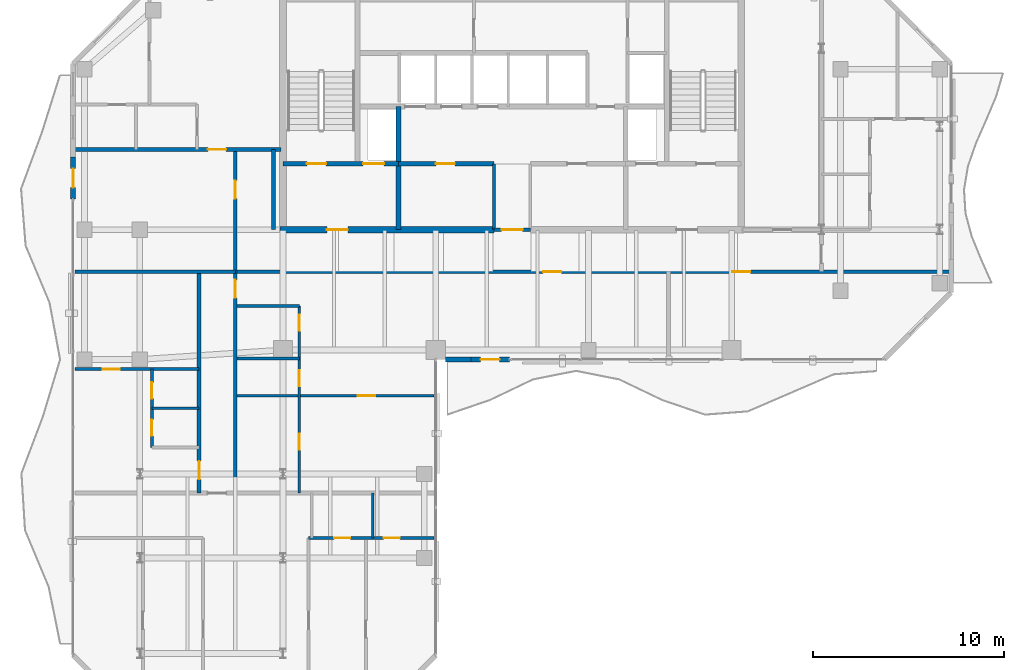
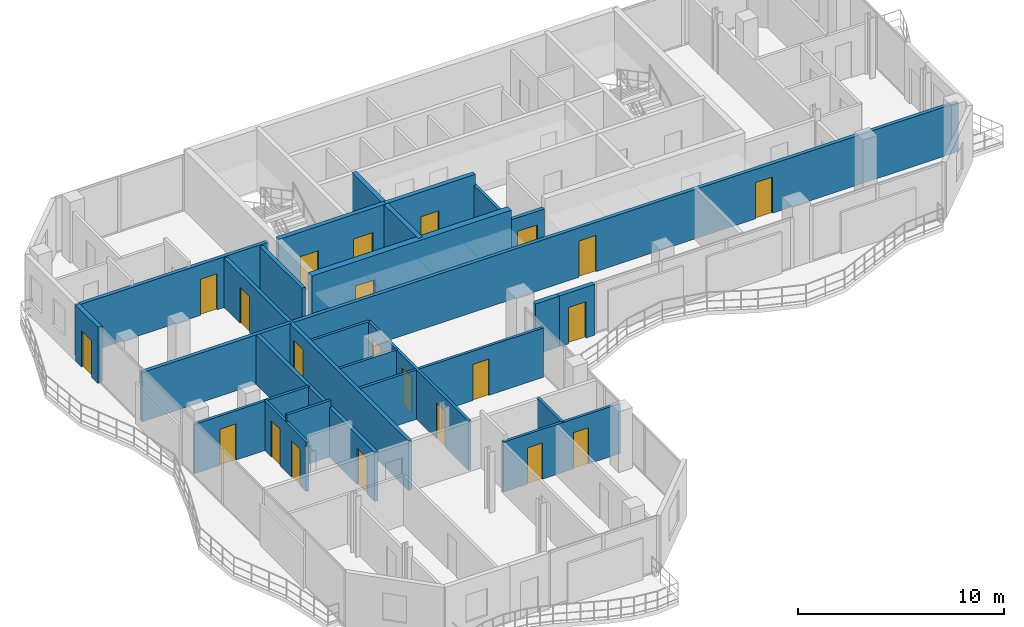
# One storey, part 18 of 23: 24 walls, 22 doors, 22 openings.
"""IFC4 building model written with IfcOpenShell, lengths in metres."""

from ifc_helpers import new_model, si_unit, direction, frame, frame_2d, origin, place, context, subcontext, project, spatial, rectangle, extrude, material, layer, layer_set, type_object, element, fill, save


model = new_model("IFC4")

# Units and contexts
model_context = context("Model", 3, precision=1e-05, world=origin(), true_north=direction((0.0, 1.0)))
body_context = subcontext(model_context, "Body", "Model", "MODEL_VIEW")
ifc_project = project(units=[si_unit("LENGTHUNIT", "METRE"), si_unit("AREAUNIT", "SQUARE_METRE"), si_unit("VOLUMEUNIT", "CUBIC_METRE"), si_unit("PLANEANGLEUNIT", "RADIAN"), si_unit("MASSUNIT", "GRAM", prefix="KILO")], contexts=[model_context])

# Site, building, storey
site_placement = place(None, origin())
site = spatial("IfcSite", under=ifc_project, at=site_placement, CompositionType="ELEMENT")
building_placement = place(site_placement, origin())
building = spatial("IfcBuilding", under=site, at=building_placement, Name="Catumbela Crestline Tower", CompositionType="ELEMENT")
storey_placement = place(building_placement, frame((0.0, 0.0, 165.0)))
storey = spatial("IfcBuildingStorey", under=building, at=storey_placement, Name="L42", CompositionType="ELEMENT", Elevation=165.0)

# Wall
ifc_material_1 = material(Name="Concrete C50/60", Category="concrete")
ifc_layer_1 = layer(ifc_material_1, 0.25, Name="Concrete C50/60")
ifc_layer_set_1 = layer_set([ifc_layer_1], Name="Concrete C50/60")
wall_type_1 = type_object("IfcWallType", Name="CW-250D", PredefinedType="SHEAR", material=ifc_layer_set_1)
wall_1_placement = place(storey_placement, frame((22.05, 30.8, 0.0), z_axis=(0.0, 0.0, 1.0), x_axis=(0.0, 1.0, 0.0)))
element("IfcWall", 1, at=wall_1_placement, inside=storey, type_object=wall_type_1, Name="L42 Structural Core Shear Wall FFW", PredefinedType="SHEAR", context=body_context, shape_type="SweptSolid", body=[
    extrude(rectangle(XDim=6.45, YDim=0.25, at=frame_2d((3.225, 0.0))), origin(), (0.0, 0.0, 1.0), 3.6),
])

# Wall, openings, doors
wall_2_placement = place(storey_placement, frame((16.0, 34.25, 0.0), z_axis=(0.0, 0.0, 1.0), x_axis=(1.0, 0.0, 0.0)))
wall_2 = element("IfcWall", 2, at=wall_2_placement, inside=storey, type_object=wall_type_1, Name="L42 Structural Core Shear Wall ST1S", PredefinedType="SHEAR", context=body_context, shape_type="SweptSolid", body=[
    extrude(rectangle(XDim=6.05, YDim=0.25, at=frame_2d((3.025, 0.0))), origin(), (0.0, 0.0, 1.0), 3.6),
])
opening_1_placement = place(wall_2_placement, frame((1.25, 0.0, 0.0)))
opening_1 = element("IfcOpeningElement", 3, at=opening_1_placement, cuts=wall_2, Name="Opening DF9-100", PredefinedType="OPENING", context=body_context, shape_type="SweptSolid", body=[
    extrude(rectangle(XDim=1.0, YDim=2.15, at=frame_2d((0.5, 1.075))), frame((0.0, 0.135, 0.0), z_axis=(0.0, -1.0, 0.0), x_axis=(1.0, 0.0, 0.0)), (0.0, 0.0, 1.0), 0.27),
])
opening_2_placement = place(wall_2_placement, frame((4.2, 0.0, 0.0)))
opening_2 = element("IfcOpeningElement", 4, at=opening_2_placement, cuts=wall_2, Name="Opening LD-110", PredefinedType="OPENING", context=body_context, shape_type="SweptSolid", body=[
    extrude(rectangle(XDim=1.1, YDim=2.15, at=frame_2d((0.55, 1.075))), frame((0.0, 0.135, 0.0), z_axis=(0.0, -1.0, 0.0), x_axis=(1.0, 0.0, 0.0)), (0.0, 0.0, 1.0), 0.27),
])
ifc_material_2 = material(Name="Stainless steel EN 1.4401", Category="steel")
door_type_1 = type_object("IfcDoorType", Name="DF9-100", OperationType="NOTDEFINED", PredefinedType="DOOR", material=ifc_material_2)
door_1_placement = place(opening_1_placement, origin())
door_1 = element("IfcDoor", 5, at=door_1_placement, inside=storey, type_object=door_type_1, Name="L42 Interior Door DR-L42-ST01", OperationType="SINGLE_SWING_LEFT", OverallHeight=2.15, OverallWidth=1.0, PredefinedType="DOOR", context=body_context, shape_type="SweptSolid", body=[
    extrude(rectangle(XDim=1.0, YDim=2.15, at=frame_2d((0.5, 1.075))), frame((0.0, 0.025, 0.0), z_axis=(0.0, -1.0, 0.0), x_axis=(1.0, 0.0, 0.0)), (0.0, 0.0, 1.0), 0.05),
])
fill(opening_1, door_1)
door_type_2 = type_object("IfcDoorType", Name="LD-110", OperationType="NOTDEFINED", PredefinedType="DOOR", material=ifc_material_2)
door_2_placement = place(opening_2_placement, origin())
door_2 = element("IfcDoor", 6, at=door_2_placement, inside=storey, type_object=door_type_2, Name="L42 Lift Landing Sliding Door FL-01", OperationType="DOUBLE_DOOR_SLIDING", OverallHeight=2.15, OverallWidth=1.1, PredefinedType="DOOR", context=body_context, shape_type="SweptSolid", body=[
    extrude(rectangle(XDim=1.1, YDim=2.15, at=frame_2d((0.55, 1.075))), frame((0.0, 0.025, 0.0), z_axis=(0.0, -1.0, 0.0), x_axis=(1.0, 0.0, 0.0)), (0.0, 0.0, 1.0), 0.05),
])
fill(opening_2, door_2)

# Wall, opening, door
wall_3_placement = place(storey_placement, frame((22.05, 34.25, 0.0), z_axis=(0.0, 0.0, 1.0), x_axis=(1.0, 0.0, 0.0)))
wall_3 = element("IfcWall", 7, at=wall_3_placement, inside=storey, type_object=wall_type_1, Name="L42 Structural Core Shear Wall LIFTS-W", PredefinedType="SHEAR", context=body_context, shape_type="SweptSolid", body=[
    extrude(rectangle(XDim=5.0, YDim=0.25, at=frame_2d((2.5, 0.0))), origin(), (0.0, 0.0, 1.0), 3.6),
])
opening_3_placement = place(wall_3_placement, frame((1.95, 0.0, 0.0)))
opening_3 = element("IfcOpeningElement", 8, at=opening_3_placement, cuts=wall_3, Name="Opening DF9-100", PredefinedType="OPENING", context=body_context, shape_type="SweptSolid", body=[
    extrude(rectangle(XDim=1.0, YDim=2.15, at=frame_2d((0.5, 1.075))), frame((0.0, 0.135, 0.0), z_axis=(0.0, -1.0, 0.0), x_axis=(1.0, 0.0, 0.0)), (0.0, 0.0, 1.0), 0.27),
])
door_3_placement = place(opening_3_placement, origin())
door_3 = element("IfcDoor", 9, at=door_3_placement, inside=storey, type_object=door_type_1, Name="L42 Interior Door DR-L42-RECL1", OperationType="SINGLE_SWING_LEFT", OverallHeight=2.15, OverallWidth=1.0, PredefinedType="DOOR", context=body_context, shape_type="SweptSolid", body=[
    extrude(rectangle(XDim=1.0, YDim=2.15, at=frame_2d((0.5, 1.075))), frame((0.0, 0.025, 0.0), z_axis=(0.0, -1.0, 0.0), x_axis=(1.0, 0.0, 0.0)), (0.0, 0.0, 1.0), 0.05),
])
fill(opening_3, door_3)

ifc_layer_2 = layer(ifc_material_1, 0.35, Name="Concrete C50/60")
ifc_layer_set_2 = layer_set([ifc_layer_2], Name="Concrete C50/60")
wall_type_2 = type_object("IfcWallType", Name="CW-350B", PredefinedType="SHEAR", material=ifc_layer_set_2)
wall_4_placement = place(storey_placement, frame((15.85, 30.8, 0.0), z_axis=(0.0, 0.0, 1.0), x_axis=(1.0, 0.0, 0.0)))
wall_4 = element("IfcWall", 10, at=wall_4_placement, inside=storey, type_object=wall_type_2, Name="L42 Structural Core Shear Wall SW", PredefinedType="SHEAR", context=body_context, shape_type="SweptSolid", body=[
    extrude(rectangle(XDim=11.2, YDim=0.35, at=frame_2d((5.6, 0.0))), origin(), (0.0, 0.0, 1.0), 3.6),
])
opening_4_placement = place(wall_4_placement, frame((2.45, 0.0, 0.0)))
opening_4 = element("IfcOpeningElement", 11, at=opening_4_placement, cuts=wall_4, Name="Opening DF9-110", PredefinedType="OPENING", context=body_context, shape_type="SweptSolid", body=[
    extrude(rectangle(XDim=1.1, YDim=2.15, at=frame_2d((0.55, 1.075))), frame((0.0, 0.185, 0.0), z_axis=(0.0, -1.0, 0.0), x_axis=(1.0, 0.0, 0.0)), (0.0, 0.0, 1.0), 0.37),
])
door_type_3 = type_object("IfcDoorType", Name="DF9-110", OperationType="NOTDEFINED", PredefinedType="DOOR", material=ifc_material_2)
door_4_placement = place(opening_4_placement, origin())
door_4 = element("IfcDoor", 12, at=door_4_placement, inside=storey, type_object=door_type_3, Name="L42 Interior Door DR-L42-FFW-S", OperationType="SINGLE_SWING_LEFT", OverallHeight=2.15, OverallWidth=1.1, PredefinedType="DOOR", context=body_context, shape_type="SweptSolid", body=[
    extrude(rectangle(XDim=1.1, YDim=2.15, at=frame_2d((0.55, 1.075))), frame((0.0, 0.025, 0.0), z_axis=(0.0, -1.0, 0.0), x_axis=(1.0, 0.0, 0.0)), (0.0, 0.0, 1.0), 0.05),
])
fill(opening_4, door_4)

ifc_material_3 = material(Name="Acoustic gypsum and mineral-wool partition")
ifc_layer_3 = layer(ifc_material_3, 0.2, Name="Acoustic gypsum and mineral-wool partition")
ifc_layer_set_3 = layer_set([ifc_layer_3], Name="Acoustic gypsum and mineral-wool partition")
wall_type_3 = type_object("IfcWallType", Name="WC-200", PredefinedType="PARTITIONING", material=ifc_layer_set_3)
wall_5_placement = place(storey_placement, frame((27.05, 30.8, 0.0), z_axis=(0.0, 0.0, 1.0), x_axis=(1.0, 0.0, 0.0)))
wall_5 = element("IfcWall", 13, at=wall_5_placement, inside=storey, type_object=wall_type_3, Name="L42 Interior Partition PW-L42-CLOBS", PredefinedType="PARTITIONING", context=body_context, shape_type="SweptSolid", body=[
    extrude(rectangle(XDim=1.9, YDim=0.2, at=frame_2d((0.95, 0.0))), origin(), (0.0, 0.0, 1.0), 2.96),
])
opening_5_placement = place(wall_5_placement, frame((0.4, 0.0, 0.0)))
opening_5 = element("IfcOpeningElement", 14, at=opening_5_placement, cuts=wall_5, Name="Opening DF9-110", PredefinedType="OPENING", context=body_context, shape_type="SweptSolid", body=[
    extrude(rectangle(XDim=1.1, YDim=2.15, at=frame_2d((0.55, 1.075))), frame((0.0, 0.11, 0.0), z_axis=(0.0, -1.0, 0.0), x_axis=(1.0, 0.0, 0.0)), (0.0, 0.0, 1.0), 0.22),
])
door_5_placement = place(opening_5_placement, origin())
door_5 = element("IfcDoor", 15, at=door_5_placement, inside=storey, type_object=door_type_3, Name="L42 Interior Door DR-L42-CLOBS", OperationType="SINGLE_SWING_LEFT", OverallHeight=2.15, OverallWidth=1.1, PredefinedType="DOOR", context=body_context, shape_type="SweptSolid", body=[
    extrude(rectangle(XDim=1.1, YDim=2.15, at=frame_2d((0.55, 1.075))), frame((0.0, 0.025, 0.0), z_axis=(0.0, -1.0, 0.0), x_axis=(1.0, 0.0, 0.0)), (0.0, 0.0, 1.0), 0.05),
])
fill(opening_5, door_5)

# Wall, openings, doors
wall_6_placement = place(storey_placement, frame((13.6, 28.6, 0.0), z_axis=(0.0, 0.0, 1.0), x_axis=(1.0, 0.0, 0.0)))
wall_6 = element("IfcWall", 16, at=wall_6_placement, inside=storey, type_object=wall_type_3, Name="L42 Interior Partition PW-L42-RCWR", PredefinedType="PARTITIONING", context=body_context, shape_type="SweptSolid", body=[
    extrude(rectangle(XDim=37.3, YDim=0.2, at=frame_2d((18.65, 0.0))), origin(), (0.0, 0.0, 1.0), 2.93),
])
opening_6_placement = place(wall_6_placement, frame((16.025, 0.0, 0.0)))
opening_6 = element("IfcOpeningElement", 17, at=opening_6_placement, cuts=wall_6, Name="Opening DF6-095", PredefinedType="OPENING", context=body_context, shape_type="SweptSolid", body=[
    extrude(rectangle(XDim=0.95, YDim=2.15, at=frame_2d((0.475, 1.075))), frame((0.0, 0.11, 0.0), z_axis=(0.0, -1.0, 0.0), x_axis=(1.0, 0.0, 0.0)), (0.0, 0.0, 1.0), 0.22),
])
opening_7_placement = place(wall_6_placement, frame((25.925, 0.0, 0.0)))
opening_7 = element("IfcOpeningElement", 18, at=opening_7_placement, cuts=wall_6, Name="Opening DF6-095", PredefinedType="OPENING", context=body_context, shape_type="SweptSolid", body=[
    extrude(rectangle(XDim=0.95, YDim=2.15, at=frame_2d((0.475, 1.075))), frame((0.0, 0.11, 0.0), z_axis=(0.0, -1.0, 0.0), x_axis=(1.0, 0.0, 0.0)), (0.0, 0.0, 1.0), 0.22),
])
ifc_material_4 = material(Name="Aluminium alloy AW-6060-T66", Category="aluminium")
door_type_4 = type_object("IfcDoorType", Name="DF6-095", OperationType="NOTDEFINED", PredefinedType="DOOR", material=ifc_material_4)
door_6_placement = place(opening_6_placement, origin())
door_6 = element("IfcDoor", 19, at=door_6_placement, inside=storey, type_object=door_type_4, Name="L42 Interior Door DR-L42-Z3G11-ENT", OperationType="SINGLE_SWING_LEFT", OverallHeight=2.15, OverallWidth=0.95, PredefinedType="DOOR", context=body_context, shape_type="SweptSolid", body=[
    extrude(rectangle(XDim=0.95, YDim=2.15, at=frame_2d((0.475, 1.075))), frame((0.0, 0.025, 0.0), z_axis=(0.0, -1.0, 0.0), x_axis=(1.0, 0.0, 0.0)), (0.0, 0.0, 1.0), 0.05),
])
fill(opening_6, door_6)
door_7_placement = place(opening_7_placement, origin())
door_7 = element("IfcDoor", 20, at=door_7_placement, inside=storey, type_object=door_type_4, Name="L42 Interior Door DR-L42-Z3G12-ENT", OperationType="SINGLE_SWING_RIGHT", OverallHeight=2.15, OverallWidth=0.95, PredefinedType="DOOR", context=body_context, shape_type="SweptSolid", body=[
    extrude(rectangle(XDim=0.95, YDim=2.15, at=frame_2d((0.475, 1.075))), frame((0.0, 0.025, 0.0), z_axis=(0.0, -1.0, 0.0), x_axis=(1.0, 0.0, 0.0)), (0.0, 0.0, 1.0), 0.05),
])
fill(opening_7, door_7)

# Wall
wall_7_placement = place(storey_placement, frame((15.5, 30.8, 0.0), z_axis=(0.0, 0.0, 1.0), x_axis=(0.0, 1.0, 0.0)))
element("IfcWall", 21, at=wall_7_placement, inside=storey, type_object=wall_type_3, Name="L42 Interior Partition PW-L42-NWFYE", PredefinedType="PARTITIONING", context=body_context, shape_type="SweptSolid", body=[
    extrude(rectangle(XDim=4.2, YDim=0.2, at=frame_2d((2.1, 0.0))), origin(), (0.0, 0.0, 1.0), 2.93),
])

# Wall, openings, doors
wall_8_placement = place(storey_placement, frame((13.5, 17.0, 0.0), z_axis=(0.0, 0.0, 1.0), x_axis=(0.0, 1.0, 0.0)))
wall_8 = element("IfcWall", 22, at=wall_8_placement, inside=storey, type_object=wall_type_3, Name="L42 Interior Partition PW-L42-NWAM-ENT", PredefinedType="PARTITIONING", context=body_context, shape_type="SweptSolid", body=[
    extrude(rectangle(XDim=18.0, YDim=0.2, at=frame_2d((9.0, 0.0))), origin(), (0.0, 0.0, 1.0), 2.93),
])
opening_8_placement = place(wall_8_placement, frame((15.425, 0.0, 0.0)))
opening_8 = element("IfcOpeningElement", 23, at=opening_8_placement, cuts=wall_8, Name="Opening DF6-095", PredefinedType="OPENING", context=body_context, shape_type="SweptSolid", body=[
    extrude(rectangle(XDim=0.95, YDim=2.15, at=frame_2d((0.475, 1.075))), frame((0.0, 0.11, 0.0), z_axis=(0.0, -1.0, 0.0), x_axis=(1.0, 0.0, 0.0)), (0.0, 0.0, 1.0), 0.22),
])
opening_9_placement = place(wall_8_placement, frame((10.225, 0.0, 0.0)))
opening_9 = element("IfcOpeningElement", 24, at=opening_9_placement, cuts=wall_8, Name="Opening DF6-095", PredefinedType="OPENING", context=body_context, shape_type="SweptSolid", body=[
    extrude(rectangle(XDim=0.95, YDim=2.15, at=frame_2d((0.475, 1.075))), frame((0.0, 0.11, 0.0), z_axis=(0.0, -1.0, 0.0), x_axis=(1.0, 0.0, 0.0)), (0.0, 0.0, 1.0), 0.22),
])
door_8_placement = place(opening_8_placement, origin())
door_8 = element("IfcDoor", 25, at=door_8_placement, inside=storey, type_object=door_type_4, Name="L42 Interior Door DR-L42-NWAM-ENT", OperationType="SINGLE_SWING_RIGHT", OverallHeight=2.15, OverallWidth=0.95, PredefinedType="DOOR", context=body_context, shape_type="SweptSolid", body=[
    extrude(rectangle(XDim=0.95, YDim=2.15, at=frame_2d((0.475, 1.075))), frame((0.0, 0.025, 0.0), z_axis=(0.0, -1.0, 0.0), x_axis=(1.0, 0.0, 0.0)), (0.0, 0.0, 1.0), 0.05),
])
fill(opening_8, door_8)
door_9_placement = place(opening_9_placement, origin())
door_9 = element("IfcDoor", 26, at=door_9_placement, inside=storey, type_object=door_type_4, Name="L42 Interior Door DR-L42-WR1-ENT", OperationType="SINGLE_SWING_LEFT", OverallHeight=2.15, OverallWidth=0.95, PredefinedType="DOOR", context=body_context, shape_type="SweptSolid", body=[
    extrude(rectangle(XDim=0.95, YDim=2.15, at=frame_2d((0.475, 1.075))), frame((0.0, 0.025, 0.0), z_axis=(0.0, -1.0, 0.0), x_axis=(1.0, 0.0, 0.0)), (0.0, 0.0, 1.0), 0.05),
])
fill(opening_9, door_9)

# Wall, opening, door
wall_9_placement = place(storey_placement, frame((5.1, 35.0, 0.0), z_axis=(0.0, 0.0, 1.0), x_axis=(1.0, 0.0, 0.0)))
wall_9 = element("IfcWall", 27, at=wall_9_placement, inside=storey, type_object=wall_type_3, Name="L42 Interior Partition PW-L42-NW1-ENT", PredefinedType="PARTITIONING", context=body_context, shape_type="SweptSolid", body=[
    extrude(rectangle(XDim=10.8, YDim=0.2, at=frame_2d((5.4, 0.0))), origin(), (0.0, 0.0, 1.0), 3.01),
])
opening_10_placement = place(wall_9_placement, frame((6.9644, 0.0, 0.0)))
opening_10 = element("IfcOpeningElement", 28, at=opening_10_placement, cuts=wall_9, Name="Opening DF6-095", PredefinedType="OPENING", context=body_context, shape_type="SweptSolid", body=[
    extrude(rectangle(XDim=0.95, YDim=2.15, at=frame_2d((0.475, 1.075))), frame((0.0, 0.11, 0.0), z_axis=(0.0, -1.0, 0.0), x_axis=(1.0, 0.0, 0.0)), (0.0, 0.0, 1.0), 0.22),
])
door_10_placement = place(opening_10_placement, origin())
door_10 = element("IfcDoor", 29, at=door_10_placement, inside=storey, type_object=door_type_4, Name="L42 Interior Door DR-L42-NW1-ENT", OperationType="SINGLE_SWING_LEFT", OverallHeight=2.15, OverallWidth=0.95, PredefinedType="DOOR", context=body_context, shape_type="SweptSolid", body=[
    extrude(rectangle(XDim=0.95, YDim=2.15, at=frame_2d((0.475, 1.075))), frame((0.0, 0.025, 0.0), z_axis=(0.0, -1.0, 0.0), x_axis=(1.0, 0.0, 0.0)), (0.0, 0.0, 1.0), 0.05),
])
fill(opening_10, door_10)

wall_10_placement = place(storey_placement, frame((11.6, 17.0, 0.0), z_axis=(0.0, 0.0, 1.0), x_axis=(0.0, 1.0, 0.0)))
wall_10 = element("IfcWall", 30, at=wall_10_placement, inside=storey, type_object=wall_type_3, Name="L42 Interior Partition PW-L42-WL1-ENT", PredefinedType="PARTITIONING", context=body_context, shape_type="SweptSolid", body=[
    extrude(rectangle(XDim=11.6, YDim=0.2, at=frame_2d((5.8, 0.0))), origin(), (0.0, 0.0, 1.0), 2.93),
])
opening_11_placement = place(wall_10_placement, frame((0.723, 0.0, 0.0)))
opening_11 = element("IfcOpeningElement", 31, at=opening_11_placement, cuts=wall_10, Name="Opening DF6-095", PredefinedType="OPENING", context=body_context, shape_type="SweptSolid", body=[
    extrude(rectangle(XDim=0.95, YDim=2.15, at=frame_2d((0.475, 1.075))), frame((0.0, 0.11, 0.0), z_axis=(0.0, -1.0, 0.0), x_axis=(1.0, 0.0, 0.0)), (0.0, 0.0, 1.0), 0.22),
])
door_11_placement = place(opening_11_placement, origin())
door_11 = element("IfcDoor", 32, at=door_11_placement, inside=storey, type_object=door_type_4, Name="L42 Interior Door DR-L42-WL1-ENT", OperationType="SINGLE_SWING_LEFT", OverallHeight=2.15, OverallWidth=0.95, PredefinedType="DOOR", context=body_context, shape_type="SweptSolid", body=[
    extrude(rectangle(XDim=0.95, YDim=2.15, at=frame_2d((0.475, 1.075))), frame((0.0, 0.025, 0.0), z_axis=(0.0, -1.0, 0.0), x_axis=(1.0, 0.0, 0.0)), (0.0, 0.0, 1.0), 0.05),
])
fill(opening_11, door_11)

ifc_material_5 = material(Name="Angolan grey-ochre granite", Category="masonry")
ifc_layer_4 = layer(ifc_material_5, 0.25, Name="Angolan grey-ochre granite")
ifc_layer_set_4 = layer_set([ifc_layer_4], Name="Angolan grey-ochre granite")
wall_type_4 = type_object("IfcWallType", Name="WE-250", PredefinedType="STANDARD", material=ifc_layer_set_4)
wall_11_placement = place(storey_placement, frame((25.85, 24.0, 0.0), z_axis=(0.0, 0.0, 1.0), x_axis=(1.0, 0.0, 0.0)))
wall_11 = element("IfcWall", 33, at=wall_11_placement, inside=storey, type_object=wall_type_4, Name="L42 Exterior Threshold Portal Wall DR-L42-WBAL-1", PredefinedType="STANDARD", context=body_context, shape_type="SweptSolid", body=[
    extrude(rectangle(XDim=2.0, YDim=0.25, at=frame_2d((1.0, 0.0))), origin(), (0.0, 0.0, 1.0), 3.01),
])
opening_12_placement = place(wall_11_placement, frame((0.5, 0.0, 0.0)))
opening_12 = element("IfcOpeningElement", 34, at=opening_12_placement, cuts=wall_11, Name="Opening DB-L42-1", PredefinedType="OPENING", context=body_context, shape_type="SweptSolid", body=[
    extrude(rectangle(XDim=1.0, YDim=2.15, at=frame_2d((0.5, 1.075))), frame((0.0, 0.135, 0.0), z_axis=(0.0, -1.0, 0.0), x_axis=(1.0, 0.0, 0.0)), (0.0, 0.0, 1.0), 0.27),
])
door_type_5 = type_object("IfcDoorType", Name="DB-1000", OperationType="NOTDEFINED", PredefinedType="DOOR", material=ifc_material_4)
door_12_placement = place(opening_12_placement, origin())
door_12 = element("IfcDoor", 35, at=door_12_placement, inside=storey, type_object=door_type_5, Name="L42 Wave Balcony Terrace Door 1", OperationType="SINGLE_SWING_RIGHT", OverallHeight=2.15, OverallWidth=1.0, PredefinedType="DOOR", context=body_context, shape_type="SweptSolid", body=[
    extrude(rectangle(XDim=1.0, YDim=2.15, at=frame_2d((0.5, 1.075))), frame((0.0, 0.025, 0.0), z_axis=(0.0, -1.0, 0.0), x_axis=(1.0, 0.0, 0.0)), (0.0, 0.0, 1.0), 0.05),
])
fill(opening_12, door_12)

# Wall
wall_12_placement = place(storey_placement, frame((24.5, 24.0, 0.0), z_axis=(0.0, 0.0, 1.0), x_axis=(1.0, 0.0, 0.0)))
element("IfcWall", 36, at=wall_12_placement, inside=storey, type_object=wall_type_4, Name="L42 Granite Punched Window Wall 3-1", PredefinedType="STANDARD", context=body_context, shape_type="SweptSolid", body=[
    extrude(rectangle(XDim=1.35, YDim=0.25, at=frame_2d((0.675, 0.0))), origin(), (0.0, 0.0, 1.0), 3.01),
])

# Wall, opening, door
wall_13_placement = place(storey_placement, frame((5.0, 34.6, 0.0), z_axis=(0.0, 0.0, 1.0), x_axis=(0.0, -1.0, 0.0)))
wall_13 = element("IfcWall", 37, at=wall_13_placement, inside=storey, type_object=wall_type_4, Name="L42 Exterior Threshold Portal Wall DR-L42-WBAL-4", PredefinedType="STANDARD", context=body_context, shape_type="SweptSolid", body=[
    extrude(rectangle(XDim=2.2, YDim=0.25, at=frame_2d((1.1, 0.0))), origin(), (0.0, 0.0, 1.0), 3.33),
])
opening_13_placement = place(wall_13_placement, frame((0.6, 0.0, 0.0)))
opening_13 = element("IfcOpeningElement", 38, at=opening_13_placement, cuts=wall_13, Name="Opening DB-L42-4", PredefinedType="OPENING", context=body_context, shape_type="SweptSolid", body=[
    extrude(rectangle(XDim=1.0, YDim=2.15, at=frame_2d((0.5, 1.075))), frame((0.0, 0.135, 0.0), z_axis=(0.0, -1.0, 0.0), x_axis=(1.0, 0.0, 0.0)), (0.0, 0.0, 1.0), 0.27),
])
door_13_placement = place(opening_13_placement, origin())
door_13 = element("IfcDoor", 39, at=door_13_placement, inside=storey, type_object=door_type_5, Name="L42 Wave Balcony Terrace Door 4", OperationType="SINGLE_SWING_LEFT", OverallHeight=2.15, OverallWidth=1.0, PredefinedType="DOOR", context=body_context, shape_type="SweptSolid", body=[
    extrude(rectangle(XDim=1.0, YDim=2.15, at=frame_2d((0.5, 1.075))), frame((0.0, 0.025, 0.0), z_axis=(0.0, -1.0, 0.0), x_axis=(1.0, 0.0, 0.0)), (0.0, 0.0, 1.0), 0.05),
])
fill(opening_13, door_13)

# Wall
ifc_layer_5 = layer(ifc_material_3, 0.15, Name="Acoustic gypsum and mineral-wool partition")
ifc_layer_set_5 = layer_set([ifc_layer_5], Name="Acoustic gypsum and mineral-wool partition")
wall_type_5 = type_object("IfcWallType", Name="WP-150", PredefinedType="PARTITIONING", material=ifc_layer_set_5)
wall_14_placement = place(storey_placement, frame((9.13, 21.446, 0.0), z_axis=(0.0, 0.0, 1.0), x_axis=(1.0, 0.0, 0.0)))
element("IfcWall", 40, at=wall_14_placement, inside=storey, type_object=wall_type_5, Name="L42 Interior Partition PW-L42-WL1-KBM", PredefinedType="PARTITIONING", context=body_context, shape_type="SweptSolid", body=[
    extrude(rectangle(XDim=2.47, YDim=0.15, at=frame_2d((1.235, 0.0))), origin(), (0.0, 0.0, 1.0), 3.33),
])

# Wall, opening, door
wall_15_placement = place(storey_placement, frame((5.1, 23.496, 0.0), z_axis=(0.0, 0.0, 1.0), x_axis=(1.0, 0.0, 0.0)))
wall_15 = element("IfcWall", 41, at=wall_15_placement, inside=storey, type_object=wall_type_5, Name="L42 Interior Partition PW-L42-WL1-KBN", PredefinedType="PARTITIONING", context=body_context, shape_type="SweptSolid", body=[
    extrude(rectangle(XDim=6.5, YDim=0.15, at=frame_2d((3.25, 0.0))), origin(), (0.0, 0.0, 1.0), 2.93),
])
opening_14_placement = place(wall_15_placement, frame((1.4533, 0.0, 0.0)))
opening_14 = element("IfcOpeningElement", 42, at=opening_14_placement, cuts=wall_15, Name="Opening DI-090", PredefinedType="OPENING", context=body_context, shape_type="SweptSolid", body=[
    extrude(rectangle(XDim=0.9, YDim=2.15, at=frame_2d((0.45, 1.075))), frame((0.0, 0.085, 0.0), z_axis=(0.0, -1.0, 0.0), x_axis=(1.0, 0.0, 0.0)), (0.0, 0.0, 1.0), 0.17),
])
door_type_6 = type_object("IfcDoorType", Name="DI-090", OperationType="NOTDEFINED", PredefinedType="DOOR", material=ifc_material_4)
door_14_placement = place(opening_14_placement, origin())
door_14 = element("IfcDoor", 43, at=door_14_placement, inside=storey, type_object=door_type_6, Name="L42 Interior Door DR-L42-WL1-BD1", OperationType="SINGLE_SWING_RIGHT", OverallHeight=2.15, OverallWidth=0.9, PredefinedType="DOOR", context=body_context, shape_type="SweptSolid", body=[
    extrude(rectangle(XDim=0.9, YDim=2.15, at=frame_2d((0.45, 1.075))), frame((0.0, 0.025, 0.0), z_axis=(0.0, -1.0, 0.0), x_axis=(1.0, 0.0, 0.0)), (0.0, 0.0, 1.0), 0.05),
])
fill(opening_14, door_14)

# Wall, openings, doors
wall_16_placement = place(storey_placement, frame((9.13, 19.396, 0.0), z_axis=(0.0, 0.0, 1.0), x_axis=(0.0, 1.0, 0.0)))
wall_16 = element("IfcWall", 44, at=wall_16_placement, inside=storey, type_object=wall_type_5, Name="L42 Interior Partition PW-L42-WL1-LK", PredefinedType="PARTITIONING", context=body_context, shape_type="SweptSolid", body=[
    extrude(rectangle(XDim=4.1, YDim=0.15, at=frame_2d((2.05, 0.0))), origin(), (0.0, 0.0, 1.0), 2.93),
])
opening_15_placement = place(wall_16_placement, frame((0.6, 0.0, 0.0)))
opening_15 = element("IfcOpeningElement", 45, at=opening_15_placement, cuts=wall_16, Name="Opening DI-085", PredefinedType="OPENING", context=body_context, shape_type="SweptSolid", body=[
    extrude(rectangle(XDim=0.85, YDim=2.15, at=frame_2d((0.425, 1.075))), frame((0.0, 0.085, 0.0), z_axis=(0.0, -1.0, 0.0), x_axis=(1.0, 0.0, 0.0)), (0.0, 0.0, 1.0), 0.17),
])
opening_16_placement = place(wall_16_placement, frame((2.5529, 0.0, 0.0)))
opening_16 = element("IfcOpeningElement", 46, at=opening_16_placement, cuts=wall_16, Name="Opening DI-085", PredefinedType="OPENING", context=body_context, shape_type="SweptSolid", body=[
    extrude(rectangle(XDim=0.85, YDim=2.15, at=frame_2d((0.425, 1.075))), frame((0.0, 0.085, 0.0), z_axis=(0.0, -1.0, 0.0), x_axis=(1.0, 0.0, 0.0)), (0.0, 0.0, 1.0), 0.17),
])
door_type_7 = type_object("IfcDoorType", Name="DI-085", OperationType="NOTDEFINED", PredefinedType="DOOR", material=ifc_material_4)
door_15_placement = place(opening_15_placement, origin())
door_15 = element("IfcDoor", 47, at=door_15_placement, inside=storey, type_object=door_type_7, Name="L42 Interior Door DR-L42-WL1-KIT", OperationType="SINGLE_SWING_LEFT", OverallHeight=2.15, OverallWidth=0.85, PredefinedType="DOOR", context=body_context, shape_type="SweptSolid", body=[
    extrude(rectangle(XDim=0.85, YDim=2.15, at=frame_2d((0.425, 1.075))), frame((0.0, 0.025, 0.0), z_axis=(0.0, -1.0, 0.0), x_axis=(1.0, 0.0, 0.0)), (0.0, 0.0, 1.0), 0.05),
])
fill(opening_15, door_15)
door_16_placement = place(opening_16_placement, origin())
door_16 = element("IfcDoor", 48, at=door_16_placement, inside=storey, type_object=door_type_7, Name="L42 Interior Door DR-L42-WL1-BTH", OperationType="SINGLE_SWING_LEFT", OverallHeight=2.15, OverallWidth=0.85, PredefinedType="DOOR", context=body_context, shape_type="SweptSolid", body=[
    extrude(rectangle(XDim=0.85, YDim=2.15, at=frame_2d((0.425, 1.075))), frame((0.0, 0.025, 0.0), z_axis=(0.0, -1.0, 0.0), x_axis=(1.0, 0.0, 0.0)), (0.0, 0.0, 1.0), 0.05),
])
fill(opening_16, door_16)

# Wall, opening, door
wall_17_placement = place(storey_placement, frame((13.6, 22.104, 0.0), z_axis=(0.0, 0.0, 1.0), x_axis=(1.0, 0.0, 0.0)))
wall_17 = element("IfcWall", 49, at=wall_17_placement, inside=storey, type_object=wall_type_5, Name="L42 Interior Partition PW-L42-WR1-KBS", PredefinedType="PARTITIONING", context=body_context, shape_type="SweptSolid", body=[
    extrude(rectangle(XDim=10.3, YDim=0.15, at=frame_2d((5.15, 0.0))), origin(), (0.0, 0.0, 1.0), 2.93),
])
opening_17_placement = place(wall_17_placement, frame((6.325, 0.0, 0.0)))
opening_17 = element("IfcOpeningElement", 50, at=opening_17_placement, cuts=wall_17, Name="Opening DI-090", PredefinedType="OPENING", context=body_context, shape_type="SweptSolid", body=[
    extrude(rectangle(XDim=0.9, YDim=2.15, at=frame_2d((0.45, 1.075))), frame((0.0, 0.085, 0.0), z_axis=(0.0, -1.0, 0.0), x_axis=(1.0, 0.0, 0.0)), (0.0, 0.0, 1.0), 0.17),
])
door_17_placement = place(opening_17_placement, origin())
door_17 = element("IfcDoor", 51, at=door_17_placement, inside=storey, type_object=door_type_6, Name="L42 Interior Door DR-L42-WR1-BD1", OperationType="SINGLE_SWING_LEFT", OverallHeight=2.15, OverallWidth=0.9, PredefinedType="DOOR", context=body_context, shape_type="SweptSolid", body=[
    extrude(rectangle(XDim=0.9, YDim=2.15, at=frame_2d((0.45, 1.075))), frame((0.0, 0.025, 0.0), z_axis=(0.0, -1.0, 0.0), x_axis=(1.0, 0.0, 0.0)), (0.0, 0.0, 1.0), 0.05),
])
fill(opening_17, door_17)

# Walls
for number, where, z_axis, x_axis, name in (
    (52, (13.6, 24.054, 0.0), (0.0, 0.0, 1.0), (1.0, 0.0, 0.0), "L42 Interior Partition PW-L42-WR1-KBM"),
    (53, (13.6, 26.8, 0.0), (0.0, 0.0, 1.0), (1.0, 0.0, 0.0), "L42 Interior Partition PW-L42-WR1-KBN"),
):
    element("IfcWall", number, at=place(storey_placement, frame(where, z_axis=z_axis, x_axis=x_axis)), inside=storey, type_object=wall_type_5, Name=name, PredefinedType="PARTITIONING", context=body_context, shape_type="SweptSolid", body=[
        extrude(rectangle(XDim=3.25, YDim=0.15, at=frame_2d((1.625, 0.0))), origin(), (0.0, 0.0, 1.0), 2.93),
    ])

# Wall, openings, doors
wall_18_placement = place(storey_placement, frame((16.85, 17.0, 0.0), z_axis=(0.0, 0.0, 1.0), x_axis=(0.0, 1.0, 0.0)))
wall_18 = element("IfcWall", 54, at=wall_18_placement, inside=storey, type_object=wall_type_5, Name="L42 Interior Partition PW-L42-WR1-LB", PredefinedType="PARTITIONING", context=body_context, shape_type="SweptSolid", body=[
    extrude(rectangle(XDim=9.8, YDim=0.15, at=frame_2d((4.9, 0.0))), origin(), (0.0, 0.0, 1.0), 2.93),
])
opening_18_placement = place(wall_18_placement, frame((5.5983, 0.0, 0.0)))
opening_18 = element("IfcOpeningElement", 55, at=opening_18_placement, cuts=wall_18, Name="Opening DI-085", PredefinedType="OPENING", context=body_context, shape_type="SweptSolid", body=[
    extrude(rectangle(XDim=0.85, YDim=2.15, at=frame_2d((0.425, 1.075))), frame((0.0, 0.085, 0.0), z_axis=(0.0, -1.0, 0.0), x_axis=(1.0, 0.0, 0.0)), (0.0, 0.0, 1.0), 0.17),
])
opening_19_placement = place(wall_18_placement, frame((8.4963, 0.0, 0.0)))
opening_19 = element("IfcOpeningElement", 56, at=opening_19_placement, cuts=wall_18, Name="Opening DI-085", PredefinedType="OPENING", context=body_context, shape_type="SweptSolid", body=[
    extrude(rectangle(XDim=0.85, YDim=2.15, at=frame_2d((0.425, 1.075))), frame((0.0, 0.085, 0.0), z_axis=(0.0, -1.0, 0.0), x_axis=(1.0, 0.0, 0.0)), (0.0, 0.0, 1.0), 0.17),
])
opening_20_placement = place(wall_18_placement, frame((2.2684, 0.0, 0.0)))
opening_20 = element("IfcOpeningElement", 57, at=opening_20_placement, cuts=wall_18, Name="Opening DI-085", PredefinedType="OPENING", context=body_context, shape_type="SweptSolid", body=[
    extrude(rectangle(XDim=0.85, YDim=2.15, at=frame_2d((0.425, 1.075))), frame((0.0, 0.085, 0.0), z_axis=(0.0, -1.0, 0.0), x_axis=(1.0, 0.0, 0.0)), (0.0, 0.0, 1.0), 0.17),
])
door_18_placement = place(opening_18_placement, origin())
door_18 = element("IfcDoor", 58, at=door_18_placement, inside=storey, type_object=door_type_7, Name="L42 Interior Door DR-L42-WR1-BTH", OperationType="SINGLE_SWING_LEFT", OverallHeight=2.15, OverallWidth=0.85, PredefinedType="DOOR", context=body_context, shape_type="SweptSolid", body=[
    extrude(rectangle(XDim=0.85, YDim=2.15, at=frame_2d((0.425, 1.075))), frame((0.0, 0.025, 0.0), z_axis=(0.0, -1.0, 0.0), x_axis=(1.0, 0.0, 0.0)), (0.0, 0.0, 1.0), 0.05),
])
fill(opening_18, door_18)
door_19_placement = place(opening_19_placement, origin())
door_19 = element("IfcDoor", 59, at=door_19_placement, inside=storey, type_object=door_type_7, Name="L42 Interior Door DR-L42-WR1-KIT", OperationType="SINGLE_SWING_RIGHT", OverallHeight=2.15, OverallWidth=0.85, PredefinedType="DOOR", context=body_context, shape_type="SweptSolid", body=[
    extrude(rectangle(XDim=0.85, YDim=2.15, at=frame_2d((0.425, 1.075))), frame((0.0, 0.025, 0.0), z_axis=(0.0, -1.0, 0.0), x_axis=(1.0, 0.0, 0.0)), (0.0, 0.0, 1.0), 0.05),
])
fill(opening_19, door_19)
door_20_placement = place(opening_20_placement, origin())
door_20 = element("IfcDoor", 60, at=door_20_placement, inside=storey, type_object=door_type_7, Name="L42 Interior Door DR-L42-WR1-WIR", OperationType="SINGLE_SWING_LEFT", OverallHeight=2.15, OverallWidth=0.85, PredefinedType="DOOR", context=body_context, shape_type="SweptSolid", body=[
    extrude(rectangle(XDim=0.85, YDim=2.15, at=frame_2d((0.425, 1.075))), frame((0.0, 0.025, 0.0), z_axis=(0.0, -1.0, 0.0), x_axis=(1.0, 0.0, 0.0)), (0.0, 0.0, 1.0), 0.05),
])
fill(opening_20, door_20)

# Wall
wall_19_placement = place(storey_placement, frame((20.7, 14.65, 0.0), z_axis=(0.0, 0.0, 1.0), x_axis=(0.0, 1.0, 0.0)))
element("IfcWall", 61, at=wall_19_placement, inside=storey, type_object=wall_type_5, Name="L42 Interior Partition PW-L42-SH1-KBM", PredefinedType="PARTITIONING", context=body_context, shape_type="SweptSolid", body=[
    extrude(rectangle(XDim=2.35, YDim=0.15, at=frame_2d((1.175, 0.0))), origin(), (0.0, 0.0, 1.0), 2.96),
])

# Wall, openings, doors
wall_20_placement = place(storey_placement, frame((17.34, 14.65, 0.0), z_axis=(0.0, 0.0, 1.0), x_axis=(1.0, 0.0, 0.0)))
wall_20 = element("IfcWall", 62, at=wall_20_placement, inside=storey, type_object=wall_type_5, Name="L42 Interior Partition PW-L42-SH1-KBD1", PredefinedType="PARTITIONING", context=body_context, shape_type="SweptSolid", body=[
    extrude(rectangle(XDim=6.56, YDim=0.15, at=frame_2d((3.28, 0.0))), origin(), (0.0, 0.0, 1.0), 2.96),
])
opening_21_placement = place(wall_20_placement, frame((1.335, 0.0, 0.0)))
opening_21 = element("IfcOpeningElement", 63, at=opening_21_placement, cuts=wall_20, Name="Opening DI-085", PredefinedType="OPENING", context=body_context, shape_type="SweptSolid", body=[
    extrude(rectangle(XDim=0.85, YDim=2.15, at=frame_2d((0.425, 1.075))), frame((0.0, 0.085, 0.0), z_axis=(0.0, -1.0, 0.0), x_axis=(1.0, 0.0, 0.0)), (0.0, 0.0, 1.0), 0.17),
])
opening_22_placement = place(wall_20_placement, frame((3.9305, 0.0, 0.0)))
opening_22 = element("IfcOpeningElement", 64, at=opening_22_placement, cuts=wall_20, Name="Opening DI-085", PredefinedType="OPENING", context=body_context, shape_type="SweptSolid", body=[
    extrude(rectangle(XDim=0.85, YDim=2.15, at=frame_2d((0.425, 1.075))), frame((0.0, 0.085, 0.0), z_axis=(0.0, -1.0, 0.0), x_axis=(1.0, 0.0, 0.0)), (0.0, 0.0, 1.0), 0.17),
])
door_21_placement = place(opening_21_placement, origin())
door_21 = element("IfcDoor", 65, at=door_21_placement, inside=storey, type_object=door_type_7, Name="L42 Interior Door DR-L42-SH1-BTH", OperationType="SINGLE_SWING_LEFT", OverallHeight=2.15, OverallWidth=0.85, PredefinedType="DOOR", context=body_context, shape_type="SweptSolid", body=[
    extrude(rectangle(XDim=0.85, YDim=2.15, at=frame_2d((0.425, 1.075))), frame((0.0, 0.025, 0.0), z_axis=(0.0, -1.0, 0.0), x_axis=(1.0, 0.0, 0.0)), (0.0, 0.0, 1.0), 0.05),
])
fill(opening_21, door_21)
door_22_placement = place(opening_22_placement, origin())
door_22 = element("IfcDoor", 66, at=door_22_placement, inside=storey, type_object=door_type_7, Name="L42 Interior Door DR-L42-SH1-KIT", OperationType="SINGLE_SWING_RIGHT", OverallHeight=2.15, OverallWidth=0.85, PredefinedType="DOOR", context=body_context, shape_type="SweptSolid", body=[
    extrude(rectangle(XDim=0.85, YDim=2.15, at=frame_2d((0.425, 1.075))), frame((0.0, 0.025, 0.0), z_axis=(0.0, -1.0, 0.0), x_axis=(1.0, 0.0, 0.0)), (0.0, 0.0, 1.0), 0.05),
])
fill(opening_22, door_22)

# Walls
ifc_layer_6 = layer(ifc_material_3, 0.2, Name="Acoustic gypsum and mineral-wool partition")
ifc_layer_set_6 = layer_set([ifc_layer_6], Name="Acoustic gypsum and mineral-wool partition")
wall_type_6 = type_object("IfcWallType", Name="WY-200", PredefinedType="PARTITIONING", material=ifc_layer_set_6)
wall_21_placement = place(storey_placement, frame((5.1, 28.6, 0.0), z_axis=(0.0, 0.0, 1.0), x_axis=(1.0, 0.0, 0.0)))
element("IfcWall", 67, at=wall_21_placement, inside=storey, type_object=wall_type_6, Name="L42 Interior Partition PW-L42-RCWNW", PredefinedType="PARTITIONING", context=body_context, shape_type="SweptSolid", body=[
    extrude(rectangle(XDim=8.4, YDim=0.2, at=frame_2d((4.2, 0.0))), origin(), (0.0, 0.0, 1.0), 2.93),
])
ifc_layer_7 = layer(ifc_material_3, 0.15, Name="Acoustic gypsum and mineral-wool partition")
ifc_layer_set_7 = layer_set([ifc_layer_7], Name="Acoustic gypsum and mineral-wool partition")
wall_type_7 = type_object("IfcWallType", Name="WS-150", PredefinedType="PLUMBINGWALL", material=ifc_layer_set_7)
wall_22_placement = place(storey_placement, frame((27.05, 30.8, 0.0), z_axis=(0.0, 0.0, 1.0), x_axis=(0.0, 1.0, 0.0)))
element("IfcWall", 68, at=wall_22_placement, inside=storey, type_object=wall_type_7, Name="L42 Interior Partition PW-L42-THRW", PredefinedType="PLUMBINGWALL", context=body_context, shape_type="SweptSolid", body=[
    extrude(rectangle(XDim=3.45, YDim=0.15, at=frame_2d((1.725, 0.0))), origin(), (0.0, 0.0, 1.0), 2.96),
])

save(model, "model.ifc")
